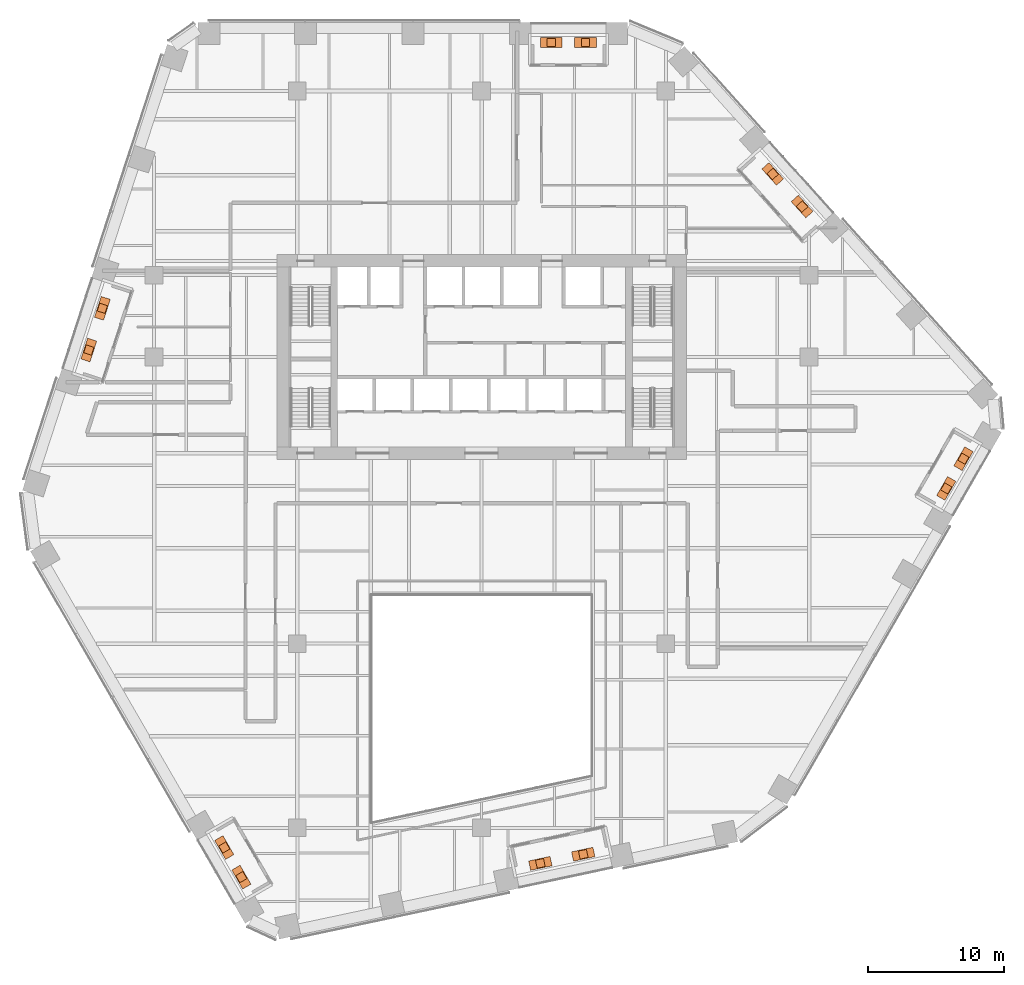
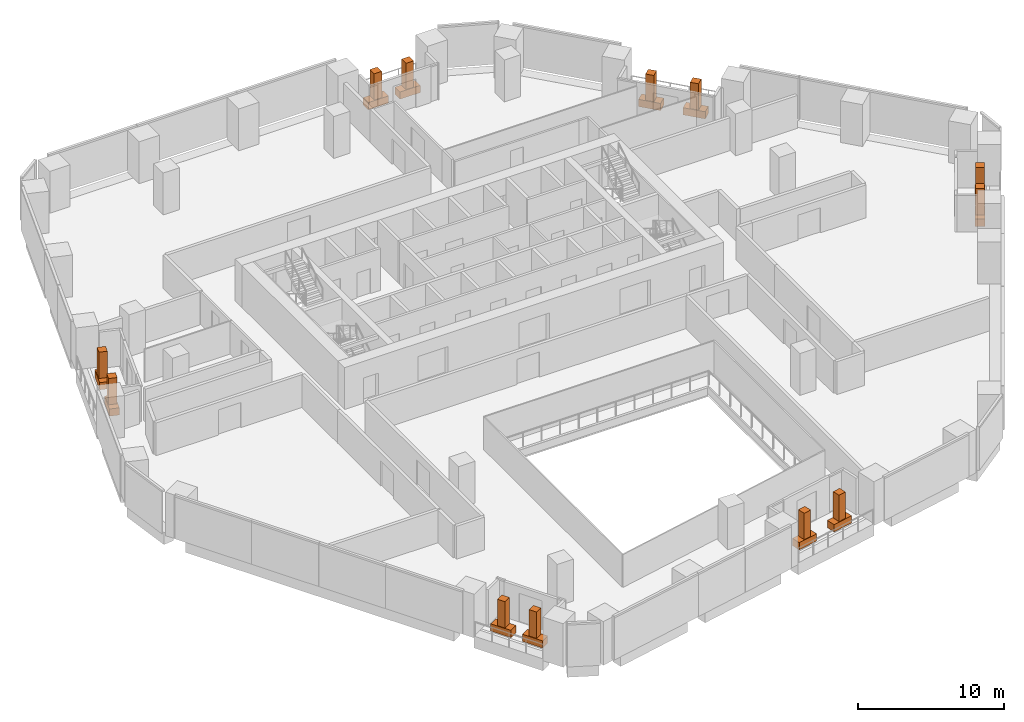
# One storey, part 28 of 28: 12 geographic elements, 12 proxies.
"""IFC4 building model written with IfcOpenShell, lengths in metres."""

import ifcopenshell
import ifcopenshell.guid

model = None  # the IFC model being written
_history = None  # IfcOwnerHistory: only IFC2X3 demands one
_inside = {}  # id of a spatial element -> (the spatial element, [elements in it])
_under = {}  # id of a project, library or spatial element -> (it, [spatial elements below it])
_declared = {}  # id of a project -> (the project, [libraries it declares])
_typed = {}  # id of a type object -> (the type object, [elements of that type])
_made_of = {}  # id of a material, layer set ... -> (it, [elements and type objects made of it])


def new_model(schema):
    """Start an empty IFC model of exactly this schema.

    Asked for "IFC4X3", IfcOpenShell would pick the latest addendum, in which some entities
    have other attributes; the version numbers below select the first issue.
    IFC2X3 requires an IfcOwnerHistory on every rooted entity: one is made here for all.
    """
    global model, _history
    if schema == "IFC4X3":
        model = ifcopenshell.file(schema_version=(4, 3, 0, 0))
    else:
        model = ifcopenshell.file(schema=schema)
    _inside.clear()
    _under.clear()
    _declared.clear()
    _typed.clear()
    _made_of.clear()
    _history = None
    if model.schema == "IFC2X3":
        org = make("IfcOrganization", Name="unknown")
        user = make(
            "IfcPersonAndOrganization",
            ThePerson=make("IfcPerson", FamilyName="unknown"),
            TheOrganization=org,
        )
        app = make(
            "IfcApplication",
            ApplicationDeveloper=org,
            Version="unknown",
            ApplicationFullName="unknown",
            ApplicationIdentifier="unknown",
        )
        _history = make(
            "IfcOwnerHistory",
            OwningUser=user,
            OwningApplication=app,
            ChangeAction="ADDED",
            CreationDate=0,
        )
    return model


def make(cls, **values):
    """One entity of the class cls with the attributes given. An attribute that is None is left unset."""
    return model.create_entity(
        cls, **{name: value for name, value in values.items() if value is not None}
    )


def rooted(cls, **values):
    """An entity with a GlobalId (a new one), such as an element, a storey or a relation."""
    return make(cls, GlobalId=ifcopenshell.guid.new(), OwnerHistory=_history, **values)


def si_unit(unit_type, name, prefix=None):
    """IfcSIUnit, for example si_unit("LENGTHUNIT", "METRE", prefix="MILLI")."""
    return make("IfcSIUnit", UnitType=unit_type, Prefix=prefix, Name=name)


def assignment(units):
    """IfcUnitAssignment: the units of a project."""
    return None if units is None else make("IfcUnitAssignment", Units=units)


def point(xyz):
    """IfcCartesianPoint."""
    return None if xyz is None else make("IfcCartesianPoint", Coordinates=xyz)


def direction(xyz):
    """IfcDirection."""
    return None if xyz is None else make("IfcDirection", DirectionRatios=xyz)


def frame(location, z_axis=None, x_axis=None):
    """IfcAxis2Placement3D, a coordinate frame: its origin and axes. An axis left out is left unset."""
    return make(
        "IfcAxis2Placement3D",
        Location=point(location),
        Axis=direction(z_axis),
        RefDirection=direction(x_axis),
    )


def frame_2d(location, x_axis=None):
    """IfcAxis2Placement2D, a coordinate frame in the plane: its origin and x axis."""
    return make(
        "IfcAxis2Placement2D", Location=point(location), RefDirection=direction(x_axis)
    )


def origin():
    """The frame at (0, 0, 0) with its axes left unset."""
    return frame((0.0, 0.0, 0.0))


def origin_2d():
    """The frame at (0, 0) in the plane with its x axis left unset."""
    return frame_2d((0.0, 0.0))


def place(relative_to, where):
    """IfcLocalPlacement: puts the frame where relative to a parent placement (None: the world)."""
    return make(
        "IfcLocalPlacement", PlacementRelTo=relative_to, RelativePlacement=where
    )


def context(
    kind, dimensions, precision=None, world=None, true_north=None, identifier=None
):
    """IfcGeometricRepresentationContext, for example the 3D "Model" context."""
    return make(
        "IfcGeometricRepresentationContext",
        ContextIdentifier=identifier,
        ContextType=kind,
        CoordinateSpaceDimension=dimensions,
        Precision=precision,
        WorldCoordinateSystem=world,
        TrueNorth=true_north,
    )


def subcontext(parent, identifier, kind, view, scale=None):
    """IfcGeometricRepresentationSubContext, for example "Body" below "Model"."""
    return make(
        "IfcGeometricRepresentationSubContext",
        ContextIdentifier=identifier,
        ContextType=kind,
        ParentContext=parent,
        TargetScale=scale,
        TargetView=view,
    )


def project(units=None, contexts=None):
    """IfcProject with its units and contexts."""
    return rooted(
        "IfcProject",
        Name="project",
        RepresentationContexts=contexts,
        UnitsInContext=assignment(units),
    )


def spatial(cls, under=None, at=None, **own):
    """A site, building, storey or space (cls), placed at a placement, below another one or the project."""
    s = rooted(cls, ObjectPlacement=at, **own)
    if under is not None:
        _under.setdefault(under.id(), (under, []))[1].append(s)
    return s


def profile(cls, at=None, kind="AREA", **sizes):
    """A parametric profile (cls). Its sizes go by their IFC names, for example OverallWidth=200.0."""
    return make(cls, ProfileType=kind, Position=at, **sizes)


def rectangle(**sizes):
    """IfcRectangleProfileDef."""
    return profile("IfcRectangleProfileDef", **sizes)


def extrude(swept, where, along, depth):
    """IfcExtrudedAreaSolid: the profile swept, set in the frame where, extruded along a direction by depth."""
    return make(
        "IfcExtrudedAreaSolid",
        SweptArea=swept,
        Position=where,
        ExtrudedDirection=direction(along),
        Depth=depth,
    )


def shape(context_of_items, identifier, shape_type, items):
    """IfcShapeRepresentation: the items that make up one representation, for example the "Body"."""
    return make(
        "IfcShapeRepresentation",
        ContextOfItems=context_of_items,
        RepresentationIdentifier=identifier,
        RepresentationType=shape_type,
        Items=items,
    )


def material(Name=None, Category=None):
    """IfcMaterial."""
    return make("IfcMaterial", Name=Name, Category=Category)


def made_of(thing, what):
    """Note that an element or type object is made of a material, layer set ...; save() writes the relation."""
    if what is not None:
        _made_of.setdefault(what.id(), (what, []))[1].append(thing)
    return thing


def type_object(cls, material=None, **own):
    """A type object (cls), such as IfcWallType, which elements share."""
    return made_of(rooted(cls, **own), material)


def element(
    cls,
    number,
    at=None,
    inside=None,
    cuts=None,
    type_object=None,
    material=None,
    context=None,
    identifier="Body",
    shape_type=None,
    held_by="IfcProductDefinitionShape",
    body=None,
    shapes=None,
    **own,
):
    """One element of the class cls, such as IfcWall. Its Tag is "e" and its number.

    at: its placement. inside: the storey or other place that contains it. cuts: it is an
    opening in that element (IfcRelVoidsElement). A single representation is given by context,
    identifier, shape_type and body (its items); several are given by shapes. held_by: the class
    of the entity that holds the representations. save() writes the other relations.
    """
    e = rooted(cls, Tag="e%d" % number, ObjectPlacement=at, **own)
    if body is not None:
        shapes = [shape(context, identifier, shape_type, body)]
    if shapes is not None:
        e.Representation = make(held_by, Representations=shapes)
    if inside is not None:
        _inside.setdefault(inside.id(), (inside, []))[1].append(e)
    if cuts is not None:
        rooted(
            "IfcRelVoidsElement", RelatingBuildingElement=cuts, RelatedOpeningElement=e
        )
    if type_object is not None:
        _typed.setdefault(type_object.id(), (type_object, []))[1].append(e)
    return made_of(e, material)


def aggregate(whole, parts):
    """IfcRelAggregates: a whole, such as a stair, and the parts it consists of."""
    return rooted("IfcRelAggregates", RelatingObject=whole, RelatedObjects=parts)


def save(model, path):
    """Write the relations noted so far, then the file.

    IfcRelAggregates (storeys below a building ...), IfcRelContainedInSpatialStructure (elements
    in a storey), IfcRelDefinesByType, IfcRelAssociatesMaterial and IfcRelDeclares: one each for
    every whole, place, type object, material and project.
    """
    for whole, parts in _under.values():
        aggregate(whole, parts)
    for where, things in _inside.values():
        rooted(
            "IfcRelContainedInSpatialStructure",
            RelatedElements=things,
            RelatingStructure=where,
        )
    for kind, things in _typed.values():
        rooted("IfcRelDefinesByType", RelatedObjects=things, RelatingType=kind)
    for what, things in _made_of.values():
        rooted("IfcRelAssociatesMaterial", RelatedObjects=things, RelatingMaterial=what)
    for by, libraries in _declared.values():
        rooted("IfcRelDeclares", RelatingContext=by, RelatedDefinitions=libraries)
    model.write(path)


model = new_model("IFC4")

# Units and contexts
model_context = context("Model", 3, precision=1e-05, world=origin(), true_north=direction((0.0, 1.0)))
body_context = subcontext(model_context, "Body", "Model", "MODEL_VIEW")
ifc_project = project(units=[si_unit("LENGTHUNIT", "METRE"), si_unit("AREAUNIT", "SQUARE_METRE"), si_unit("VOLUMEUNIT", "CUBIC_METRE"), si_unit("PLANEANGLEUNIT", "RADIAN"), si_unit("MASSUNIT", "GRAM", prefix="KILO")], contexts=[model_context])

# Site, building, storey
site_placement = place(None, origin())
site = spatial("IfcSite", under=ifc_project, at=site_placement, CompositionType="ELEMENT")
building_placement = place(site_placement, origin())
building = spatial("IfcBuilding", under=site, at=building_placement, Name="Isthmus Gate Tower", CompositionType="ELEMENT")
storey_placement = place(building_placement, frame((0.0, 0.0, 84.300048828125)))
storey = spatial("IfcBuildingStorey", under=building, at=storey_placement, Name="L19", CompositionType="ELEMENT", Elevation=84.300048828125)

# Geographic elements
ifc_material_1 = material(Name="Plant material, broadleaf tree")
geographic_element_type = type_object("IfcGeographicElementType", Name="BROADLEAF TREE 2200 HIGH", PredefinedType="USERDEFINED", material=ifc_material_1)
for number, where, z_axis, x_axis, name in (
    (1, (7.625, 30.550048828125, 0.60009765625), (0.0, 0.0, 1.0), (-1.0, 0.0, 0.0), "TREE"),
    (2, (5.109130859375, 30.550048828125, 0.60009765625), (0.0, 0.0, 1.0), (-1.0, 0.0, 0.0), "TREE"),
    (3, (-27.7890625, 11.073486328125, 0.60009765625), (0.0, 0.0, 1.0), (-0.309016994375, -0.951056516295, 0.0), "TREE"),
    (4, (-28.782470703125, 8.015625, 0.60009765625), (0.0, 0.0, 1.0), (-0.309016994375, -0.951056516295, 0.0), "TREE"),
    (5, (-18.85595703125, -28.440673828125, 0.60009765625), (0.0, 0.0, 1.0), (0.5, -0.866025403784, 0.0), "TREE"),
    (6, (-17.603759765625, -30.609130859375, 0.60009765625), (0.0, 0.0, 1.0), (0.5, -0.866025403784, 0.0), "TREE"),
    (7, (4.3046875, -29.6025390625, 0.60009765625), (0.0, 0.0, 1.0), (0.978147600734, 0.207911690818, 0.0), "TREE"),
    (8, (7.449462890625, -28.93408203125, 0.60009765625), (0.0, 0.0, 1.0), (0.978147600734, 0.207911690818, 0.0), "TREE"),
    (9, (34.048828125, -2.125732421875, 0.60009765625), (0.0, 0.0, 1.0), (0.5, 0.866025403784, 0.0), "TREE"),
    (10, (35.306884765625, 0.05322265625, 0.60009765625), (0.0, 0.0, 1.0), (0.5, 0.866025403784, 0.0), "TREE"),
    (11, (23.484375, 18.529296875, 0.60009765625), (0.0, 0.0, 1.0), (-0.669130606359, 0.743144825477, 0.0), "TREE"),
    (12, (21.3330078125, 20.91845703125, 0.60009765625), (0.0, 0.0, 1.0), (-0.669130606359, 0.743144825477, 0.0), "TREE"),
):
    element("IfcGeographicElement", number, at=place(storey_placement, frame(where, z_axis=z_axis, x_axis=x_axis)), inside=storey, type_object=geographic_element_type, Name=name, ObjectType="TREE", PredefinedType="USERDEFINED", context=body_context, shape_type="SweptSolid", body=[
        extrude(rectangle(XDim=0.60009765625, YDim=0.60009765625, at=origin_2d()), origin(), (0.0, 0.0, 1.0), 2.199951171875),
    ])

# Proxies
ifc_material_2 = material(Name="Concrete f'c 40 MPa", Category="concrete")
building_element_proxy_type = type_object("IfcBuildingElementProxyType", Name="CONCRETE PLANTER 1600 X 700 X 600", PredefinedType="USERDEFINED", material=ifc_material_2)
for number, where, z_axis, x_axis, name in (
    (13, (7.625, 30.550048828125, 0.0), (0.0, 0.0, 1.0), (-1.0, 0.0, 0.0), "PLANTER"),
    (14, (5.109130859375, 30.550048828125, 0.0), (0.0, 0.0, 1.0), (-1.0, 0.0, 0.0), "PLANTER"),
    (15, (-27.7890625, 11.073486328125, 0.0), (0.0, 0.0, 1.0), (-0.309016994375, -0.951056516295, 0.0), "PLANTER"),
    (16, (-28.782470703125, 8.015625, 0.0), (0.0, 0.0, 1.0), (-0.309016994375, -0.951056516295, 0.0), "PLANTER"),
    (17, (-18.85595703125, -28.440673828125, 0.0), (0.0, 0.0, 1.0), (0.5, -0.866025403784, 0.0), "PLANTER"),
    (18, (-17.603759765625, -30.609130859375, 0.0), (0.0, 0.0, 1.0), (0.5, -0.866025403784, 0.0), "PLANTER"),
    (19, (4.3046875, -29.6025390625, 0.0), (0.0, 0.0, 1.0), (0.978147600734, 0.207911690818, 0.0), "PLANTER"),
    (20, (7.449462890625, -28.93408203125, 0.0), (0.0, 0.0, 1.0), (0.978147600734, 0.207911690818, 0.0), "PLANTER"),
    (21, (34.048828125, -2.125732421875, 0.0), (0.0, 0.0, 1.0), (0.5, 0.866025403784, 0.0), "PLANTER"),
    (22, (35.306884765625, 0.05322265625, 0.0), (0.0, 0.0, 1.0), (0.5, 0.866025403784, 0.0), "PLANTER"),
    (23, (23.484375, 18.529296875, 0.0), (0.0, 0.0, 1.0), (-0.669130606359, 0.743144825477, 0.0), "PLANTER"),
    (24, (21.3330078125, 20.91845703125, 0.0), (0.0, 0.0, 1.0), (-0.669130606359, 0.743144825477, 0.0), "PLANTER"),
):
    element("IfcBuildingElementProxy", number, at=place(storey_placement, frame(where, z_axis=z_axis, x_axis=x_axis)), inside=storey, type_object=building_element_proxy_type, Name=name, ObjectType="PLANTER", PredefinedType="USERDEFINED", context=body_context, shape_type="SweptSolid", body=[
        extrude(rectangle(XDim=1.60009765625, YDim=0.699951171875, at=origin_2d()), origin(), (0.0, 0.0, 1.0), 0.60009765625),
    ])

save(model, "model.ifc")
